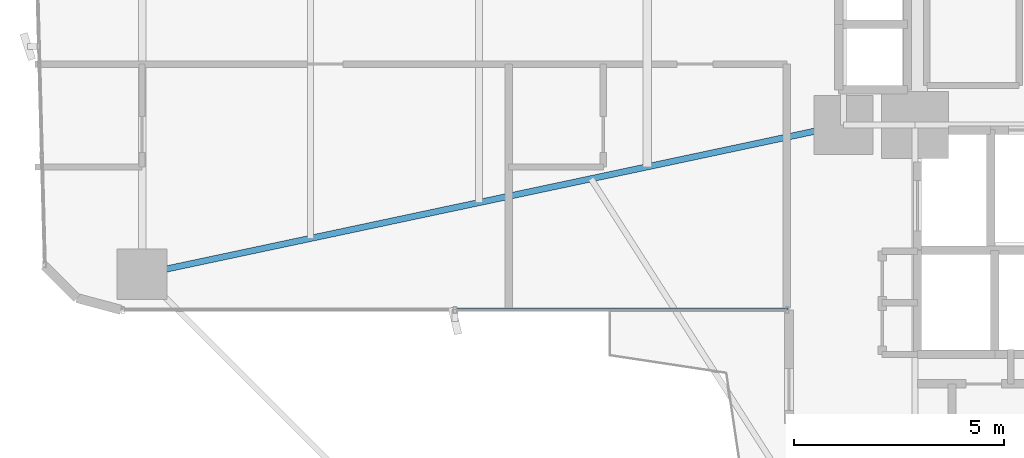
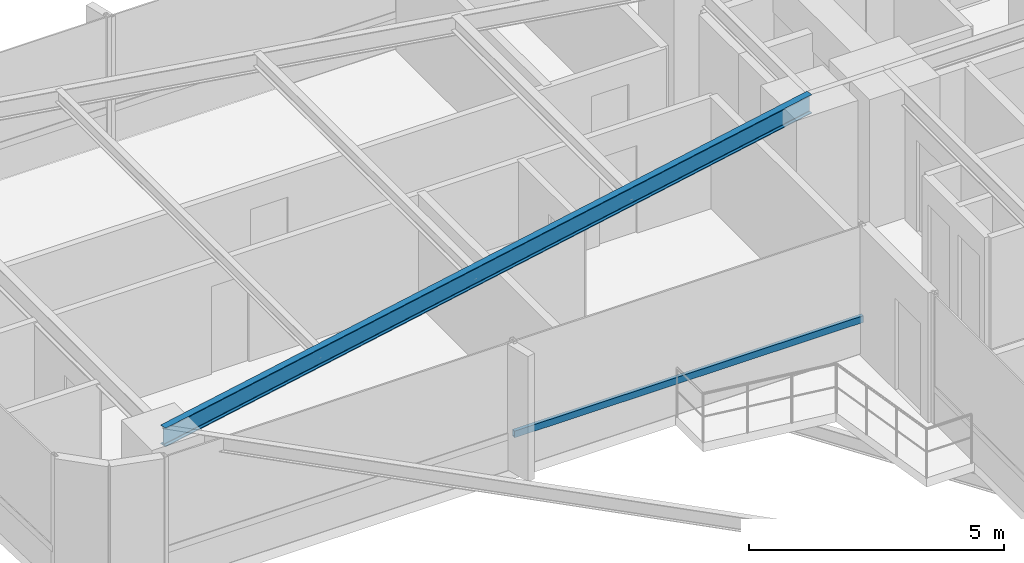
# One storey, part 7 of 26: 1 beam, 1 member, 1 element without a shape of its own.
"""IFC4 building model written with IfcOpenShell, lengths in metres."""

from ifc_helpers import new_model, si_unit, direction, frame, origin, origin_2d, place, context, subcontext, project, spatial, hollow_rectangle, i_section, extrude, source, transform, mapped, material, material_profile, profile_set, type_object, element, aggregate, save


model = new_model("IFC4")

# Units and contexts
model_context = context("Model", 3, precision=1e-05, world=origin(), true_north=direction((0.0, 1.0)))
body_context = subcontext(model_context, "Body", "Model", "MODEL_VIEW")
ifc_project = project(units=[si_unit("LENGTHUNIT", "METRE"), si_unit("AREAUNIT", "SQUARE_METRE"), si_unit("VOLUMEUNIT", "CUBIC_METRE"), si_unit("PLANEANGLEUNIT", "RADIAN"), si_unit("MASSUNIT", "GRAM", prefix="KILO")], contexts=[model_context])

# Site, building, storey
site_placement = place(None, origin())
site = spatial("IfcSite", under=ifc_project, at=site_placement, CompositionType="ELEMENT")
building_placement = place(site_placement, origin())
building = spatial("IfcBuilding", under=site, at=building_placement, Name="Sahyath Konkavel Grand Hotel", CompositionType="ELEMENT")
storey_placement = place(building_placement, frame((0.0, 0.0, 29.800048828125)))
storey = spatial("IfcBuildingStorey", under=building, at=storey_placement, Name="L07", CompositionType="ELEMENT", Elevation=29.800048828125)

# Beam
ifc_material_1 = material(Name="Steel E350", Category="steel")
ifc_material_profile_1 = material_profile(ifc_material_1, i_section(OverallWidth=0.14990234375, OverallDepth=0.449951171875, WebThickness=0.009521484375, FlangeThickness=0.017333984375, FilletRadius=0.014892578125, at=origin_2d()), Name="ISMB 450")
ifc_profile_set_1 = profile_set([ifc_material_profile_1], Name="Steel E350")
beam_type = type_object("IfcBeamType", Name="BM-ISMB450", PredefinedType="BEAM", material=ifc_profile_set_1)
shared_shape_1 = source(origin(), body_context, "Body", "SweptSolid", [
    extrude(i_section(OverallWidth=0.14990234375, OverallDepth=0.449951171875, WebThickness=0.009521484375, FlangeThickness=0.017333984375, FilletRadius=0.014892578125, at=origin_2d()), origin(), (0.0, 0.0, 1.0), 17.072998046875),
])
beam_placement = place(storey_placement, frame((-5.5, -2.39990234375, 2.885009765625), z_axis=(-0.978143257225, -0.20793212437, 0.0), x_axis=(0.20793212437, -0.978143257225, 0.0)))
element("IfcBeam", 1, at=beam_placement, inside=storey, type_object=beam_type, Name="L07 Cruciform Radial Girder WB", PredefinedType="BEAM", context=body_context, shape_type="MappedRepresentation", body=[
    mapped(shared_shape_1, transform((0.0, 0.0, 0.0), scale=1.0)),
])

# Curtain wall, member
ifc_material_2 = material(Name="Anodised Bronze Aluminium & Low-E Glazing", Category="aluminium")
curtain_wall_type = type_object("IfcCurtainWallType", Name="CW-ZONE1", PredefinedType="NOTDEFINED", material=ifc_material_2)
curtain_wall_placement = place(storey_placement, origin())
curtain_wall = element("IfcCurtainWall", 2, at=curtain_wall_placement, inside=storey, type_object=curtain_wall_type, Name="L07 Unitised Curtain Wall F23", PredefinedType="NOTDEFINED")
ifc_material_3 = material(Name="Anodised Bronze Aluminium", Category="aluminium")
ifc_material_profile_2 = material_profile(ifc_material_3, hollow_rectangle(XDim=0.080078125, YDim=0.159912109375, WallThickness=0.006103515625, at=origin_2d()), Name="RHS 160x80x6")
ifc_profile_set_2 = profile_set([ifc_material_profile_2], Name="Anodised Bronze Aluminium")
member_type = type_object("IfcMemberType", Name="CW-TRN-160", PredefinedType="USERDEFINED", material=ifc_profile_set_2)
shared_shape_2 = source(origin(), body_context, "Body", "SweptSolid", [
    extrude(hollow_rectangle(XDim=0.080078125, YDim=0.159912109375, WallThickness=0.006103515625, at=origin_2d()), origin(), (0.0, 0.0, 1.0), 7.909912109375),
])
member_placement = place(storey_placement, frame((-14.75, -6.800048828125, 0.849853515625), z_axis=(1.0, 0.0, 0.0), x_axis=(0.0, 1.0, 0.0)))
member = element("IfcMember", 3, at=member_placement, type_object=member_type, Name="L07 Curtain Wall Transom F23-1-spandrel", ObjectType="TRANSOM", PredefinedType="USERDEFINED", context=body_context, shape_type="MappedRepresentation", body=[
    mapped(shared_shape_2, transform((0.0, 0.0, 0.0), scale=1.0)),
])
aggregate(curtain_wall, [member])

save(model, "model.ifc")
